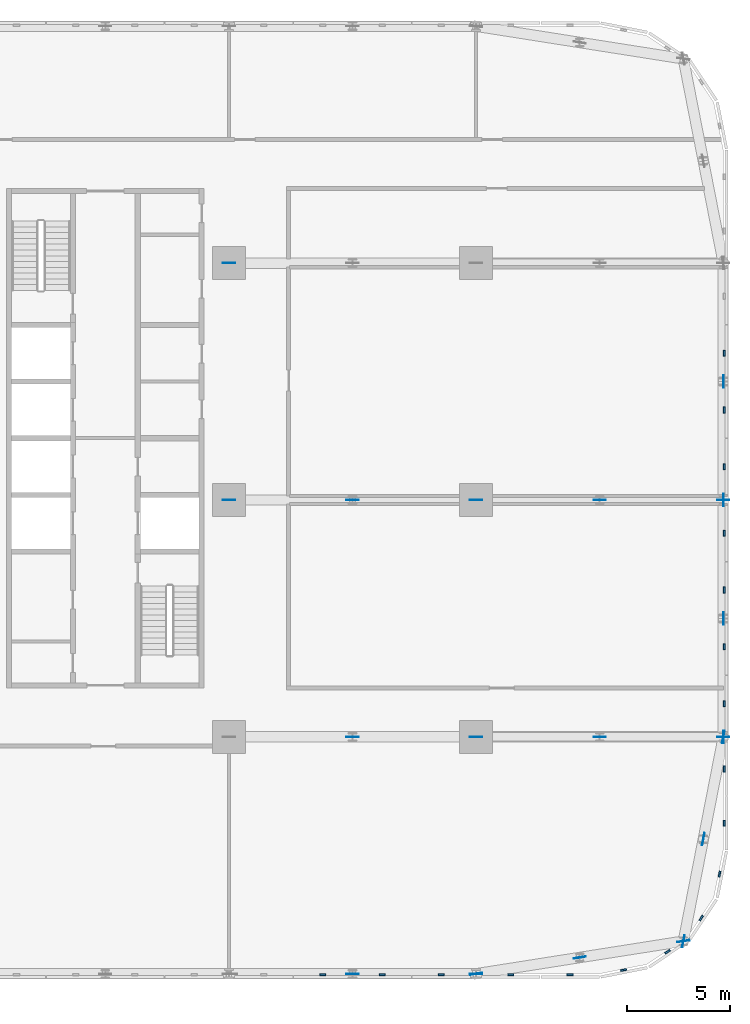
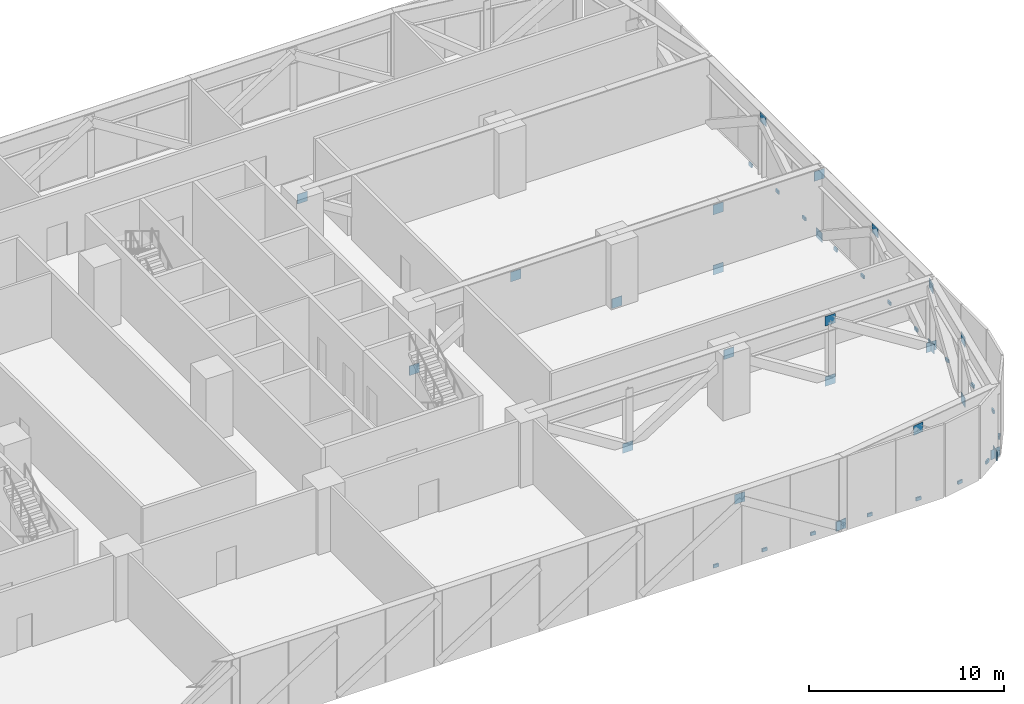
# One storey, part 18 of 25: 43 discrete accessories.
"""IFC4 building model written with IfcOpenShell, lengths in metres."""

from ifc_helpers import new_model, si_unit, direction, frame, origin, origin_2d, place, context, subcontext, project, spatial, rectangle, extrude, material, layer, layer_set, type_object, element, save


model = new_model("IFC4")

# Units and contexts
model_context = context("Model", 3, precision=1e-05, world=origin(), true_north=direction((0.0, 1.0)))
body_context = subcontext(model_context, "Body", "Model", "MODEL_VIEW")
ifc_project = project(units=[si_unit("LENGTHUNIT", "METRE"), si_unit("AREAUNIT", "SQUARE_METRE"), si_unit("VOLUMEUNIT", "CUBIC_METRE"), si_unit("PLANEANGLEUNIT", "RADIAN"), si_unit("MASSUNIT", "GRAM", prefix="KILO")], contexts=[model_context])

# Site, building, storey
site_placement = place(None, origin())
site = spatial("IfcSite", under=ifc_project, at=site_placement, CompositionType="ELEMENT")
building_placement = place(site_placement, origin())
building = spatial("IfcBuilding", under=site, at=building_placement, Name="Mahtab Terrace Research Tower", CompositionType="ELEMENT")
storey_placement = place(building_placement, frame((0.0, 0.0, 41.60009765625)))
storey = spatial("IfcBuildingStorey", under=building, at=storey_placement, Name="L09", CompositionType="ELEMENT", Elevation=41.60009765625)

# Discrete accessories
ifc_material_1 = material(Name="Black anodised aluminium", Category="aluminium")
discrete_accessory_type_1 = type_object("IfcDiscreteAccessoryType", Name="Facade bracket", PredefinedType="BRACKET", material=ifc_material_1)
for number, where, z_axis, x_axis, name in (
    (1, (43.686767578125, -23.044921875, -0.30029296875), (0.0, 0.0, 1.0), (1.0, 0.0, 0.0), "Louvre bracket L09 1"),
    (2, (46.562255859375, -23.044921875, -0.30029296875), (0.0, 0.0, 1.0), (1.0, 0.0, 0.0), "Louvre bracket L09 2"),
    (3, (49.15673828125, -22.815673828125, -0.30029296875), (0.0, 0.0, 1.0), (0.980760981187, 0.195212442692, 0.0), "Louvre bracket L09 3"),
    (4, (51.29443359375, -21.930419921875, -0.30029296875), (0.0, 0.0, 1.0), (0.831655794326, 0.555291490808, 0.0), "Louvre bracket L09 4"),
    (5, (52.930419921875, -20.29443359375, -0.30029296875), (0.0, 0.0, 1.0), (0.555291490808, 0.831655794326, 0.0), "Louvre bracket L09 5"),
    (6, (53.815673828125, -18.15673828125, -0.30029296875), (0.0, 0.0, 1.0), (0.195212442692, 0.980760981187, 0.0), "Louvre bracket L09 6"),
    (7, (54.044921875, -15.6845703125, -0.30029296875), (0.0, 0.0, 1.0), (0.0, 1.0, 0.0), "Louvre bracket L09 7"),
    (8, (54.044921875, -13.053466796875, -0.30029296875), (0.0, 0.0, 1.0), (0.0, 1.0, 0.0), "Louvre bracket L09 8"),
    (9, (54.044921875, -9.884033203125, -0.30029296875), (0.0, 0.0, 1.0), (0.0, 1.0, 0.0), "Louvre bracket L09 9"),
    (10, (54.044921875, -7.1279296875, -0.30029296875), (0.0, 0.0, 1.0), (0.0, 1.0, 0.0), "Louvre bracket L09 10"),
    (11, (54.044921875, -4.3720703125, -0.30029296875), (0.0, 0.0, 1.0), (0.0, 1.0, 0.0), "Louvre bracket L09 11"),
    (12, (54.044921875, -1.615966796875, -0.30029296875), (0.0, 0.0, 1.0), (0.0, 1.0, 0.0), "Louvre bracket L09 12"),
    (13, (54.044921875, 1.615966796875, -0.30029296875), (0.0, 0.0, 1.0), (0.0, 1.0, 0.0), "Louvre bracket L09 13"),
    (14, (54.044921875, 4.3720703125, -0.30029296875), (0.0, 0.0, 1.0), (0.0, 1.0, 0.0), "Louvre bracket L09 14"),
    (15, (54.044921875, 7.1279296875, -0.30029296875), (0.0, 0.0, 1.0), (0.0, 1.0, 0.0), "Louvre bracket L09 15"),
    (16, (34.562255859375, -23.044921875, -0.30029296875), (0.0, 0.0, 1.0), (1.0, 0.0, 0.0), "Louvre bracket L09 97"),
    (17, (37.437744140625, -23.044921875, -0.30029296875), (0.0, 0.0, 1.0), (1.0, 0.0, 0.0), "Louvre bracket L09 98"),
    (18, (40.313232421875, -23.044921875, -0.30029296875), (0.0, 0.0, 1.0), (1.0, 0.0, 0.0), "Louvre bracket L09 99"),
):
    element("IfcDiscreteAccessory", number, at=place(storey_placement, frame(where, z_axis=z_axis, x_axis=x_axis)), inside=storey, type_object=discrete_accessory_type_1, Name=name, PredefinedType="BRACKET", context=body_context, shape_type="SweptSolid", body=[
        extrude(rectangle(XDim=0.300048828125, YDim=0.090087890625, at=origin_2d()), origin(), (0.0, 0.0, 1.0), 0.199951171875),
    ])
ifc_material_2 = material(Name="Steel ASTM A992 Gr 50", Category="steel")
ifc_layer = layer(ifc_material_2, 0.030029296875)
ifc_layer_set = layer_set([ifc_layer], Name="Gusset plate 600x600x30")
discrete_accessory_type_2 = type_object("IfcDiscreteAccessoryType", Name="Gusset plate 600x600x30", PredefinedType="USERDEFINED", material=ifc_layer_set)
for number, where, z_axis, x_axis, name in (
    (19, (30.0, 0.0, -0.575927734375), (0.0, 0.0, 1.0), (1.0, 0.0, 0.0), "Gusset plate"),
    (20, (30.0, 11.5, 3.201171875), (0.0, 0.0, 1.0), (1.0, 0.0, 0.0), "Gusset plate"),
    (21, (36.0, -23.0, 3.201171875), (0.0, 0.0, 1.0), (1.0, 0.0, 0.0), "Gusset plate"),
    (22, (36.0, -11.5, -0.575927734375), (0.0, 0.0, 1.0), (1.0, 0.0, 0.0), "Gusset plate"),
    (23, (36.0, 0.0, 3.201171875), (0.0, 0.0, 1.0), (1.0, 0.0, 0.0), "Gusset plate"),
    (24, (42.0, -23.0, -0.575927734375), (0.0, 0.0, 1.0), (1.0, 0.0, 0.0), "Gusset plate"),
    (25, (42.0, -11.5, 3.201171875), (0.0, 0.0, 1.0), (1.0, 0.0, 0.0), "Gusset plate"),
    (26, (42.0, 0.0, -0.575927734375), (0.0, 0.0, 1.0), (1.0, 0.0, 0.0), "Gusset plate"),
    (27, (48.0, -11.5, -0.575927734375), (0.0, 0.0, 1.0), (1.0, 0.0, 0.0), "Gusset plate"),
    (28, (48.0, -11.5, 3.201171875), (0.0, 0.0, 1.0), (1.0, 0.0, 0.0), "Gusset plate"),
    (29, (48.0, 0.0, -0.575927734375), (0.0, 0.0, 1.0), (1.0, 0.0, 0.0), "Gusset plate"),
    (30, (48.0, 0.0, 3.201171875), (0.0, 0.0, 1.0), (1.0, 0.0, 0.0), "Gusset plate"),
    (31, (54.0, -11.5, -0.575927734375), (0.0, 0.0, 1.0), (1.0, 0.0, 0.0), "Gusset plate"),
    (32, (54.0, 0.0, 3.201171875), (0.0, 0.0, 1.0), (1.0, 0.0, 0.0), "Gusset plate"),
    (33, (42.0, -23.0, -0.575927734375), (0.0, 0.0, 1.0), (0.987835337919, 0.15550352137, 0.0), "Gusset plate"),
    (34, (47.031005859375, -22.2080078125, 3.201171875), (0.0, 0.0, 1.0), (0.987835337919, 0.15550352137, 0.0), "Gusset plate"),
    (35, (52.06201171875, -21.416015625, -0.575927734375), (0.0, 0.0, 1.0), (0.987835337919, 0.15550352137, 0.0), "Gusset plate"),
    (36, (52.06201171875, -21.416015625, -0.575927734375), (0.0, 0.0, 1.0), (0.19181971899, 0.981430178569, 0.0), "Gusset plate"),
    (37, (53.031005859375, -16.4580078125, -0.575927734375), (0.0, 0.0, 1.0), (0.19181971899, 0.981430178569, 0.0), "Gusset plate"),
    (38, (53.031005859375, -16.4580078125, 3.201171875), (0.0, 0.0, 1.0), (0.19181971899, 0.981430178569, 0.0), "Gusset plate"),
    (39, (54.0, -11.5, 3.201171875), (0.0, 0.0, 1.0), (0.19181971899, 0.981430178569, 0.0), "Gusset plate"),
    (40, (54.0, -11.5, -0.575927734375), (0.0, 0.0, 1.0), (0.0, 1.0, 0.0), "Gusset plate"),
    (41, (54.0, -5.75, 3.201171875), (0.0, 0.0, 1.0), (0.0, 1.0, 0.0), "Gusset plate"),
    (42, (54.0, 0.0, -0.575927734375), (0.0, 0.0, 1.0), (0.0, 1.0, 0.0), "Gusset plate"),
    (43, (54.0, 5.75, 3.201171875), (0.0, 0.0, 1.0), (0.0, 1.0, 0.0), "Gusset plate"),
):
    element("IfcDiscreteAccessory", number, at=place(storey_placement, frame(where, z_axis=z_axis, x_axis=x_axis)), inside=storey, type_object=discrete_accessory_type_2, Name=name, ObjectType="GUSSET PLATE", PredefinedType="USERDEFINED", context=body_context, shape_type="SweptSolid", body=[
        extrude(rectangle(XDim=0.60009765625, YDim=0.030029296875, at=origin_2d()), origin(), (0.0, 0.0, 1.0), 0.60009765625),
    ])

save(model, "model.ifc")
